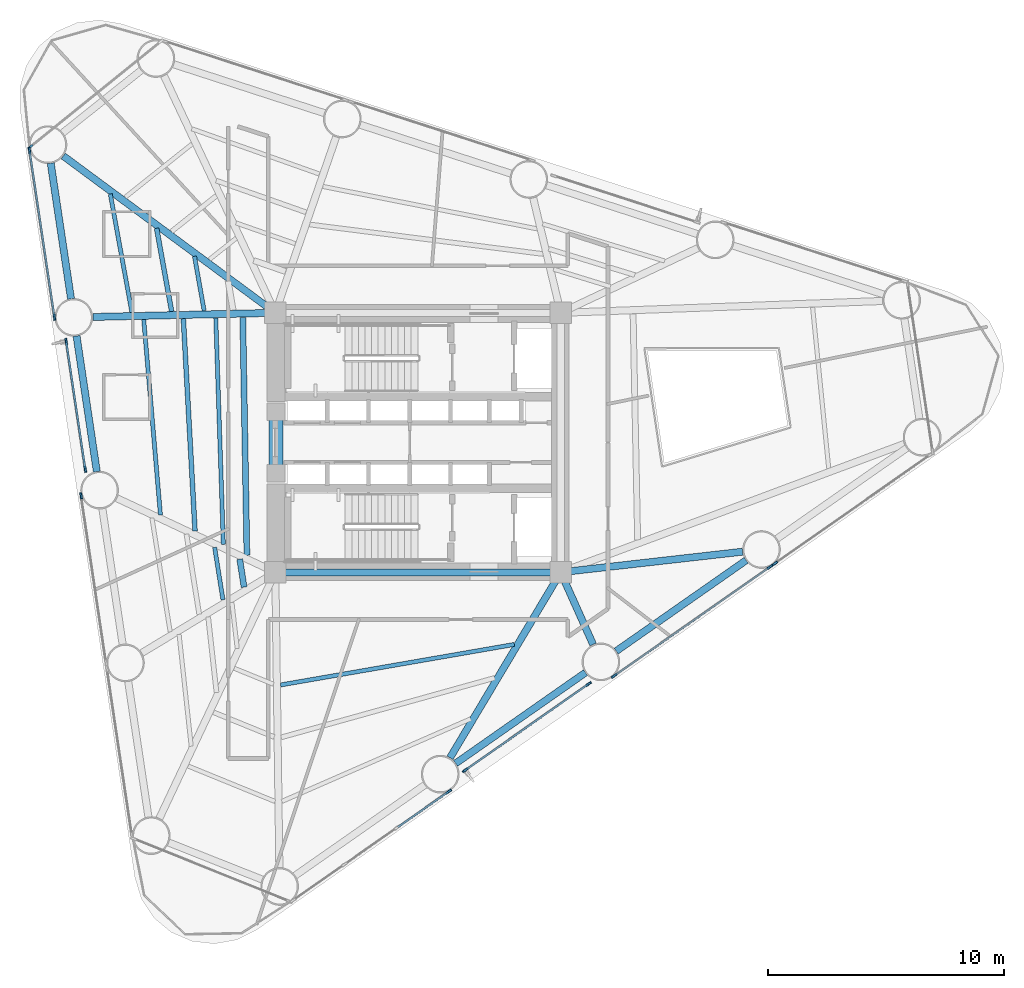
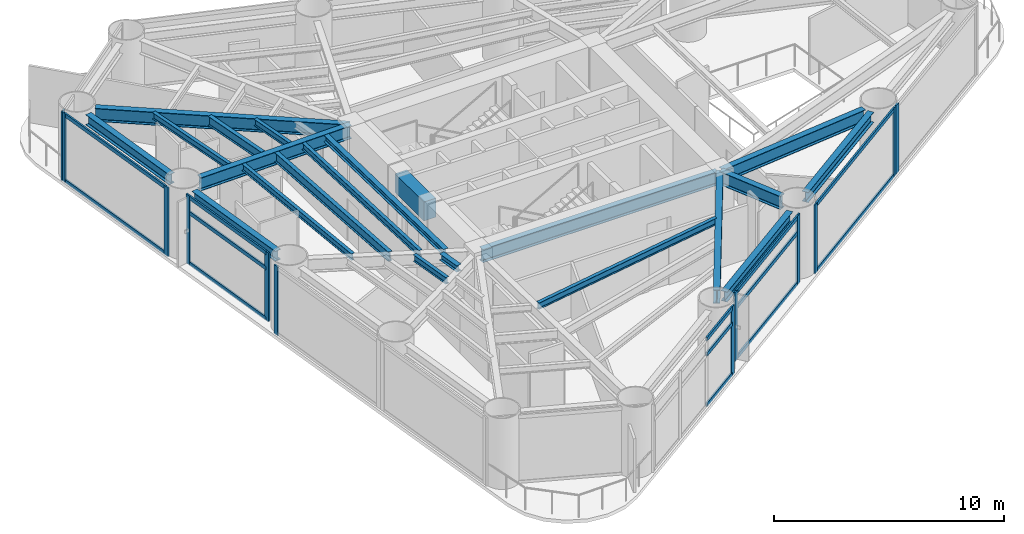
# One storey, part 2 of 9: 25 members, 21 beams, 8 elements without a shape of their own.
"""IFC4 building model written with IfcOpenShell, lengths in metres."""

import ifcopenshell
import ifcopenshell.guid

model = None  # the IFC model being written
_history = None  # IfcOwnerHistory: only IFC2X3 demands one
_inside = {}  # id of a spatial element -> (the spatial element, [elements in it])
_under = {}  # id of a project, library or spatial element -> (it, [spatial elements below it])
_declared = {}  # id of a project -> (the project, [libraries it declares])
_typed = {}  # id of a type object -> (the type object, [elements of that type])
_made_of = {}  # id of a material, layer set ... -> (it, [elements and type objects made of it])


def new_model(schema):
    """Start an empty IFC model of exactly this schema.

    Asked for "IFC4X3", IfcOpenShell would pick the latest addendum, in which some entities
    have other attributes; the version numbers below select the first issue.
    IFC2X3 requires an IfcOwnerHistory on every rooted entity: one is made here for all.
    """
    global model, _history
    if schema == "IFC4X3":
        model = ifcopenshell.file(schema_version=(4, 3, 0, 0))
    else:
        model = ifcopenshell.file(schema=schema)
    _inside.clear()
    _under.clear()
    _declared.clear()
    _typed.clear()
    _made_of.clear()
    _history = None
    if model.schema == "IFC2X3":
        org = make("IfcOrganization", Name="unknown")
        user = make(
            "IfcPersonAndOrganization",
            ThePerson=make("IfcPerson", FamilyName="unknown"),
            TheOrganization=org,
        )
        app = make(
            "IfcApplication",
            ApplicationDeveloper=org,
            Version="unknown",
            ApplicationFullName="unknown",
            ApplicationIdentifier="unknown",
        )
        _history = make(
            "IfcOwnerHistory",
            OwningUser=user,
            OwningApplication=app,
            ChangeAction="ADDED",
            CreationDate=0,
        )
    return model


def make(cls, **values):
    """One entity of the class cls with the attributes given. An attribute that is None is left unset."""
    return model.create_entity(
        cls, **{name: value for name, value in values.items() if value is not None}
    )


def rooted(cls, **values):
    """An entity with a GlobalId (a new one), such as an element, a storey or a relation."""
    return make(cls, GlobalId=ifcopenshell.guid.new(), OwnerHistory=_history, **values)


def si_unit(unit_type, name, prefix=None):
    """IfcSIUnit, for example si_unit("LENGTHUNIT", "METRE", prefix="MILLI")."""
    return make("IfcSIUnit", UnitType=unit_type, Prefix=prefix, Name=name)


def assignment(units):
    """IfcUnitAssignment: the units of a project."""
    return None if units is None else make("IfcUnitAssignment", Units=units)


def point(xyz):
    """IfcCartesianPoint."""
    return None if xyz is None else make("IfcCartesianPoint", Coordinates=xyz)


def direction(xyz):
    """IfcDirection."""
    return None if xyz is None else make("IfcDirection", DirectionRatios=xyz)


def frame(location, z_axis=None, x_axis=None):
    """IfcAxis2Placement3D, a coordinate frame: its origin and axes. An axis left out is left unset."""
    return make(
        "IfcAxis2Placement3D",
        Location=point(location),
        Axis=direction(z_axis),
        RefDirection=direction(x_axis),
    )


def frame_2d(location, x_axis=None):
    """IfcAxis2Placement2D, a coordinate frame in the plane: its origin and x axis."""
    return make(
        "IfcAxis2Placement2D", Location=point(location), RefDirection=direction(x_axis)
    )


def origin():
    """The frame at (0, 0, 0) with its axes left unset."""
    return frame((0.0, 0.0, 0.0))


def origin_2d():
    """The frame at (0, 0) in the plane with its x axis left unset."""
    return frame_2d((0.0, 0.0))


def place(relative_to, where):
    """IfcLocalPlacement: puts the frame where relative to a parent placement (None: the world)."""
    return make(
        "IfcLocalPlacement", PlacementRelTo=relative_to, RelativePlacement=where
    )


def context(
    kind, dimensions, precision=None, world=None, true_north=None, identifier=None
):
    """IfcGeometricRepresentationContext, for example the 3D "Model" context."""
    return make(
        "IfcGeometricRepresentationContext",
        ContextIdentifier=identifier,
        ContextType=kind,
        CoordinateSpaceDimension=dimensions,
        Precision=precision,
        WorldCoordinateSystem=world,
        TrueNorth=true_north,
    )


def subcontext(parent, identifier, kind, view, scale=None):
    """IfcGeometricRepresentationSubContext, for example "Body" below "Model"."""
    return make(
        "IfcGeometricRepresentationSubContext",
        ContextIdentifier=identifier,
        ContextType=kind,
        ParentContext=parent,
        TargetScale=scale,
        TargetView=view,
    )


def project(units=None, contexts=None):
    """IfcProject with its units and contexts."""
    return rooted(
        "IfcProject",
        Name="project",
        RepresentationContexts=contexts,
        UnitsInContext=assignment(units),
    )


def spatial(cls, under=None, at=None, **own):
    """A site, building, storey or space (cls), placed at a placement, below another one or the project."""
    s = rooted(cls, ObjectPlacement=at, **own)
    if under is not None:
        _under.setdefault(under.id(), (under, []))[1].append(s)
    return s


def profile(cls, at=None, kind="AREA", **sizes):
    """A parametric profile (cls). Its sizes go by their IFC names, for example OverallWidth=200.0."""
    return make(cls, ProfileType=kind, Position=at, **sizes)


def rectangle(**sizes):
    """IfcRectangleProfileDef."""
    return profile("IfcRectangleProfileDef", **sizes)


def i_section(**sizes):
    """IfcIShapeProfileDef."""
    return profile("IfcIShapeProfileDef", **sizes)


def extrude(swept, where, along, depth):
    """IfcExtrudedAreaSolid: the profile swept, set in the frame where, extruded along a direction by depth."""
    return make(
        "IfcExtrudedAreaSolid",
        SweptArea=swept,
        Position=where,
        ExtrudedDirection=direction(along),
        Depth=depth,
    )


def shape(context_of_items, identifier, shape_type, items):
    """IfcShapeRepresentation: the items that make up one representation, for example the "Body"."""
    return make(
        "IfcShapeRepresentation",
        ContextOfItems=context_of_items,
        RepresentationIdentifier=identifier,
        RepresentationType=shape_type,
        Items=items,
    )


def source(mapping_origin, context_of_items, identifier, shape_type, items):
    """IfcRepresentationMap: a shape defined once, which mapped items show again and again."""
    return make(
        "IfcRepresentationMap",
        MappingOrigin=mapping_origin,
        MappedRepresentation=shape(context_of_items, identifier, shape_type, items),
    )


def transform(
    local_origin,
    x_axis=None,
    y_axis=None,
    z_axis=None,
    scale=None,
    scale2=None,
    scale3=None,
    uniform=True,
):
    """IfcCartesianTransformationOperator3D, or its non-uniform kind. x_axis, y_axis, z_axis: its Axis1, 2, 3."""
    if uniform:
        return make(
            "IfcCartesianTransformationOperator3D",
            Axis1=direction(x_axis),
            Axis2=direction(y_axis),
            LocalOrigin=point(local_origin),
            Scale=scale,
            Axis3=direction(z_axis),
        )
    return make(
        "IfcCartesianTransformationOperator3DnonUniform",
        Axis1=direction(x_axis),
        Axis2=direction(y_axis),
        LocalOrigin=point(local_origin),
        Scale=scale,
        Axis3=direction(z_axis),
        Scale2=scale2,
        Scale3=scale3,
    )


def mapped(mapping_source, mapping_target):
    """IfcMappedItem: shows the shape of a source again, moved by a transform."""
    return make(
        "IfcMappedItem", MappingSource=mapping_source, MappingTarget=mapping_target
    )


def material(Name=None, Category=None):
    """IfcMaterial."""
    return make("IfcMaterial", Name=Name, Category=Category)


def layer(
    of_material, thickness, ventilated=None, Name=None, Category=None, Priority=None
):
    """IfcMaterialLayer: one layer of a wall or slab, of a material (None: an air gap)."""
    return make(
        "IfcMaterialLayer",
        Material=of_material,
        LayerThickness=thickness,
        IsVentilated=ventilated,
        Name=Name,
        Category=Category,
        Priority=Priority,
    )


def layer_set(layers, Name=None):
    """IfcMaterialLayerSet."""
    return make("IfcMaterialLayerSet", MaterialLayers=layers, LayerSetName=Name)


def material_profile(
    of_material, cross_section, Name=None, Category=None, Priority=None
):
    """IfcMaterialProfile: a cross section and its material."""
    return make(
        "IfcMaterialProfile",
        Name=Name,
        Material=of_material,
        Profile=cross_section,
        Priority=Priority,
        Category=Category,
    )


def profile_set(profiles, Name=None, composite=None):
    """IfcMaterialProfileSet."""
    return make(
        "IfcMaterialProfileSet",
        Name=Name,
        MaterialProfiles=profiles,
        CompositeProfile=composite,
    )


def made_of(thing, what):
    """Note that an element or type object is made of a material, layer set ...; save() writes the relation."""
    if what is not None:
        _made_of.setdefault(what.id(), (what, []))[1].append(thing)
    return thing


def type_object(cls, material=None, **own):
    """A type object (cls), such as IfcWallType, which elements share."""
    return made_of(rooted(cls, **own), material)


def element(
    cls,
    number,
    at=None,
    inside=None,
    cuts=None,
    type_object=None,
    material=None,
    context=None,
    identifier="Body",
    shape_type=None,
    held_by="IfcProductDefinitionShape",
    body=None,
    shapes=None,
    **own,
):
    """One element of the class cls, such as IfcWall. Its Tag is "e" and its number.

    at: its placement. inside: the storey or other place that contains it. cuts: it is an
    opening in that element (IfcRelVoidsElement). A single representation is given by context,
    identifier, shape_type and body (its items); several are given by shapes. held_by: the class
    of the entity that holds the representations. save() writes the other relations.
    """
    e = rooted(cls, Tag="e%d" % number, ObjectPlacement=at, **own)
    if body is not None:
        shapes = [shape(context, identifier, shape_type, body)]
    if shapes is not None:
        e.Representation = make(held_by, Representations=shapes)
    if inside is not None:
        _inside.setdefault(inside.id(), (inside, []))[1].append(e)
    if cuts is not None:
        rooted(
            "IfcRelVoidsElement", RelatingBuildingElement=cuts, RelatedOpeningElement=e
        )
    if type_object is not None:
        _typed.setdefault(type_object.id(), (type_object, []))[1].append(e)
    return made_of(e, material)


def aggregate(whole, parts):
    """IfcRelAggregates: a whole, such as a stair, and the parts it consists of."""
    return rooted("IfcRelAggregates", RelatingObject=whole, RelatedObjects=parts)


def save(model, path):
    """Write the relations noted so far, then the file.

    IfcRelAggregates (storeys below a building ...), IfcRelContainedInSpatialStructure (elements
    in a storey), IfcRelDefinesByType, IfcRelAssociatesMaterial and IfcRelDeclares: one each for
    every whole, place, type object, material and project.
    """
    for whole, parts in _under.values():
        aggregate(whole, parts)
    for where, things in _inside.values():
        rooted(
            "IfcRelContainedInSpatialStructure",
            RelatedElements=things,
            RelatingStructure=where,
        )
    for kind, things in _typed.values():
        rooted("IfcRelDefinesByType", RelatedObjects=things, RelatingType=kind)
    for what, things in _made_of.values():
        rooted("IfcRelAssociatesMaterial", RelatedObjects=things, RelatingMaterial=what)
    for by, libraries in _declared.values():
        rooted("IfcRelDeclares", RelatingContext=by, RelatedDefinitions=libraries)
    model.write(path)


model = new_model("IFC4")

# Units and contexts
model_context = context("Model", 3, precision=1e-05, world=origin(), true_north=direction((0.0, 1.0)))
body_context = subcontext(model_context, "Body", "Model", "MODEL_VIEW")
ifc_project = project(units=[si_unit("LENGTHUNIT", "METRE"), si_unit("AREAUNIT", "SQUARE_METRE"), si_unit("VOLUMEUNIT", "CUBIC_METRE"), si_unit("PLANEANGLEUNIT", "RADIAN"), si_unit("MASSUNIT", "GRAM", prefix="KILO")], contexts=[model_context])

# Site, building, storey
site_placement = place(None, origin())
site = spatial("IfcSite", under=ifc_project, at=site_placement, CompositionType="ELEMENT")
building_placement = place(site_placement, origin())
building = spatial("IfcBuilding", under=site, at=building_placement, Name="Yunling Apex Tower", CompositionType="ELEMENT")
storey_placement = place(building_placement, frame((0.0, 0.0, 58.550048828125)))
storey = spatial("IfcBuildingStorey", under=building, at=storey_placement, Name="L15", CompositionType="ELEMENT", Elevation=58.550048828125)

# Beams
ifc_material_1 = material(Name="Concrete C60", Category="concrete")
ifc_material_profile_1 = material_profile(ifc_material_1, rectangle(XDim=0.60009765625, YDim=1.0, at=origin_2d()))
ifc_profile_set_1 = profile_set([ifc_material_profile_1], Name="Concrete C60")
beam_type_1 = type_object("IfcBeamType", Name="BC-CPL-1", PredefinedType="BEAM", material=ifc_profile_set_1)
shared_shape_1 = source(origin(), body_context, "Body", "SweptSolid", [
    extrude(rectangle(XDim=0.60009765625, YDim=1.0, at=origin_2d()), origin(), (0.0, 0.0, 1.0), 2.5),
])
beam_1_placement = place(storey_placement, frame((-6.02490234375, -1.25, 3.06494140625), z_axis=(0.0, 1.0, 0.0), x_axis=(-1.0, 0.0, 0.0)))
element("IfcBeam", 1, at=beam_1_placement, inside=storey, type_object=beam_type_1, Name="L15 Core West Portal Coupling Beam", PredefinedType="BEAM", context=body_context, shape_type="MappedRepresentation", body=[
    mapped(shared_shape_1, transform((0.0, 0.0, 0.0), scale=1.0)),
])
ifc_material_2 = material(Name="Steel Q355B", Category="steel")
ifc_material_profile_2 = material_profile(ifc_material_2, i_section(OverallWidth=0.300048828125, OverallDepth=0.699951171875, WebThickness=0.012939453125, FlangeThickness=0.02392578125, FilletRadius=0.02587890625, at=origin_2d()))
ifc_profile_set_2 = profile_set([ifc_material_profile_2], Name="Steel Q355B")
beam_type_2 = type_object("IfcBeamType", Name="BG-PRI-3", PredefinedType="USERDEFINED", material=ifc_profile_set_2)
shared_shape_2 = source(origin(), body_context, "Body", "SweptSolid", [
    extrude(i_section(OverallWidth=0.300048828125, OverallDepth=0.699951171875, WebThickness=0.012939453125, FlangeThickness=0.02392578125, FilletRadius=0.02587890625, at=origin_2d()), origin(), (0.0, 0.0, 1.0), 11.7998046875),
])
beam_2_placement = place(storey_placement, frame((-5.89990234375, -5.5, 3.21484375), z_axis=(1.0, 0.0, 0.0), x_axis=(0.0, 1.0, 0.0)))
element("IfcBeam", 2, at=beam_2_placement, inside=storey, type_object=beam_type_2, Name="L15 Core Ring Tie Beam 1", ObjectType="GIRDER", PredefinedType="USERDEFINED", context=body_context, shape_type="MappedRepresentation", body=[
    mapped(shared_shape_2, transform((0.0, 0.0, 0.0), scale=1.0)),
])
ifc_material_profile_3 = material_profile(ifc_material_2, i_section(OverallWidth=0.300048828125, OverallDepth=0.5400390625, WebThickness=0.011962890625, FlangeThickness=0.02001953125, FilletRadius=0.02392578125, at=origin_2d()))
ifc_profile_set_3 = profile_set([ifc_material_profile_3], Name="Steel Q355B")
beam_type_3 = type_object("IfcBeamType", Name="BP-SPN-1", PredefinedType="SPANDREL", material=ifc_profile_set_3)
shared_shape_3 = source(origin(), body_context, "Body", "SweptSolid", [
    extrude(i_section(OverallWidth=0.300048828125, OverallDepth=0.5400390625, WebThickness=0.011962890625, FlangeThickness=0.02001953125, FilletRadius=0.02392578125, at=origin_2d()), origin(), (0.0, 0.0, 1.0), 6.721435546875),
])
for number, where, z_axis, x_axis, name in (
    (3, (1.59228515625, -13.60302734375, 3.294921875), (0.81955772083, 0.572996633697, 0.0), (-0.572996633697, 0.81955772083, 0.0), "L15 Perimeter Spandrel Beam 2"),
    (4, (8.40234375, -8.841796875, 3.294921875), (0.81955772083, 0.572996633697, 0.0), (-0.572996633697, 0.81955772083, 0.0), "L15 Perimeter Spandrel Beam 3"),
):
    element("IfcBeam", number, at=place(storey_placement, frame(where, z_axis=z_axis, x_axis=x_axis)), inside=storey, type_object=beam_type_3, Name=name, PredefinedType="SPANDREL", context=body_context, shape_type="MappedRepresentation", body=[
        mapped(shared_shape_3, transform((0.0, 0.0, 0.0), scale=1.0)),
    ])
shared_shape_4 = source(origin(), body_context, "Body", "SweptSolid", [
    extrude(i_section(OverallWidth=0.300048828125, OverallDepth=0.5400390625, WebThickness=0.011962890625, FlangeThickness=0.02001953125, FilletRadius=0.02392578125, at=origin_2d()), origin(), (0.0, 0.0, 1.0), 5.81689453125),
])
for number, where, z_axis, x_axis, name in (
    (5, (-15.57177734375, 11.84423828125, 3.294921875), (0.147823230204, -0.989013797989, 0.0), (0.989013797989, 0.147823230204, 0.0), "L15 Perimeter Spandrel Beam 11"),
    (6, (-14.477294921875, 4.5205078125, 3.294921875), (0.147823230204, -0.989013797989, 0.0), (0.989013797989, 0.147823230204, 0.0), "L15 Perimeter Spandrel Beam 12"),
):
    element("IfcBeam", number, at=place(storey_placement, frame(where, z_axis=z_axis, x_axis=x_axis)), inside=storey, type_object=beam_type_3, Name=name, PredefinedType="SPANDREL", context=body_context, shape_type="MappedRepresentation", body=[
        mapped(shared_shape_4, transform((0.0, 0.0, 0.0), scale=1.0)),
    ])
shared_shape_5 = source(origin(), body_context, "Body", "SweptSolid", [
    extrude(i_section(OverallWidth=0.300048828125, OverallDepth=0.699951171875, WebThickness=0.012939453125, FlangeThickness=0.02392578125, FilletRadius=0.02587890625, at=origin_2d()), origin(), (0.0, 0.0, 1.0), 9.078857421875),
])
beam_3_placement = place(storey_placement, frame((1.355712890625, -13.3642578125, 3.21484375), z_axis=(0.512544819157, 0.858660473269, 0.0), x_axis=(-0.858660473269, 0.512544819157, 0.0)))
element("IfcBeam", 7, at=beam_3_placement, inside=storey, type_object=beam_type_2, Name="L15 Radial Primary Girder R02", ObjectType="GIRDER", PredefinedType="USERDEFINED", context=body_context, shape_type="MappedRepresentation", body=[
    mapped(shared_shape_5, transform((0.0, 0.0, 0.0), scale=1.0)),
])
shared_shape_6 = source(origin(), body_context, "Body", "SweptSolid", [
    extrude(i_section(OverallWidth=0.300048828125, OverallDepth=0.699951171875, WebThickness=0.012939453125, FlangeThickness=0.02392578125, FilletRadius=0.02587890625, at=origin_2d()), origin(), (0.0, 0.0, 1.0), 3.272705078125),
])
beam_4_placement = place(storey_placement, frame((7.421142578125, -8.5595703125, 3.21484375), z_axis=(-0.408946662986, 0.912558286814, 0.0), x_axis=(-0.912558286814, -0.408946662986, 0.0)))
element("IfcBeam", 8, at=beam_4_placement, inside=storey, type_object=beam_type_2, Name="L15 Radial Primary Girder R03", ObjectType="GIRDER", PredefinedType="USERDEFINED", context=body_context, shape_type="MappedRepresentation", body=[
    mapped(shared_shape_6, transform((0.0, 0.0, 0.0), scale=1.0)),
])
shared_shape_7 = source(origin(), body_context, "Body", "SweptSolid", [
    extrude(i_section(OverallWidth=0.300048828125, OverallDepth=0.699951171875, WebThickness=0.012939453125, FlangeThickness=0.02392578125, FilletRadius=0.02587890625, at=origin_2d()), origin(), (0.0, 0.0, 1.0), 7.677978515625),
])
beam_5_placement = place(storey_placement, frame((13.758544921875, -4.62646484375, 3.21484375), z_axis=(-0.993640958951, -0.112595047382, 0.0), x_axis=(0.112595047382, -0.993640958951, 0.0)))
element("IfcBeam", 9, at=beam_5_placement, inside=storey, type_object=beam_type_2, Name="L15 Radial Primary Girder R04", ObjectType="GIRDER", PredefinedType="USERDEFINED", context=body_context, shape_type="MappedRepresentation", body=[
    mapped(shared_shape_7, transform((0.0, 0.0, 0.0), scale=1.0)),
])
shared_shape_8 = source(origin(), body_context, "Body", "SweptSolid", [
    extrude(i_section(OverallWidth=0.300048828125, OverallDepth=0.699951171875, WebThickness=0.012939453125, FlangeThickness=0.02392578125, FilletRadius=0.02587890625, at=origin_2d()), origin(), (0.0, 0.0, 1.0), 11.101318359375),
])
beam_6_placement = place(storey_placement, frame((-15.03955078125, 12.14892578125, 3.21484375), z_axis=(0.803988254112, -0.594645177606, 0.0), x_axis=(0.594645177606, 0.803988254112, 0.0)))
element("IfcBeam", 10, at=beam_6_placement, inside=storey, type_object=beam_type_2, Name="L15 Radial Primary Girder R11", ObjectType="GIRDER", PredefinedType="USERDEFINED", context=body_context, shape_type="MappedRepresentation", body=[
    mapped(shared_shape_8, transform((0.0, 0.0, 0.0), scale=1.0)),
])
shared_shape_9 = source(origin(), body_context, "Body", "SweptSolid", [
    extrude(i_section(OverallWidth=0.300048828125, OverallDepth=0.699951171875, WebThickness=0.012939453125, FlangeThickness=0.02392578125, FilletRadius=0.02587890625, at=origin_2d()), origin(), (0.0, 0.0, 1.0), 7.658935546875),
])
beam_7_placement = place(storey_placement, frame((-13.786865234375, 5.32421875, 3.21484375), z_axis=(0.999741687414, 0.022727922173, 0.0), x_axis=(-0.022727922173, 0.999741687414, 0.0)))
element("IfcBeam", 11, at=beam_7_placement, inside=storey, type_object=beam_type_2, Name="L15 Radial Primary Girder R12", ObjectType="GIRDER", PredefinedType="USERDEFINED", context=body_context, shape_type="MappedRepresentation", body=[
    mapped(shared_shape_9, transform((0.0, 0.0, 0.0), scale=1.0)),
])
ifc_material_profile_4 = material_profile(ifc_material_2, i_section(OverallWidth=0.175048828125, OverallDepth=0.35009765625, WebThickness=0.007080078125, FlangeThickness=0.010986328125, FilletRadius=0.013916015625, at=origin_2d()))
ifc_profile_set_4 = profile_set([ifc_material_profile_4], Name="Steel Q355B")
beam_type_4 = type_object("IfcBeamType", Name="BJ-JST-1", PredefinedType="JOIST", material=ifc_profile_set_4)
shared_shape_10 = source(origin(), body_context, "Body", "SweptSolid", [
    extrude(i_section(OverallWidth=0.175048828125, OverallDepth=0.35009765625, WebThickness=0.007080078125, FlangeThickness=0.010986328125, FilletRadius=0.013916015625, at=origin_2d()), origin(), (0.0, 0.0, 1.0), 10.057861328125),
])
beam_8_placement = place(storey_placement, frame((-5.826904296875, -10.276611328125, 3.389892578125), z_axis=(0.985298923649, 0.170839196488, 0.0), x_axis=(-0.170839196488, 0.985298923649, 0.0)))
element("IfcBeam", 12, at=beam_8_placement, inside=storey, type_object=beam_type_4, Name="L15 Composite Floor Joist BJ3-1", PredefinedType="JOIST", context=body_context, shape_type="MappedRepresentation", body=[
    mapped(shared_shape_10, transform((0.0, 0.0, 0.0), scale=1.0)),
])
ifc_material_profile_5 = material_profile(ifc_material_2, i_section(OverallWidth=0.199951171875, OverallDepth=0.5, WebThickness=0.010009765625, FlangeThickness=0.01611328125, FilletRadius=0.02001953125, at=origin_2d()))
ifc_profile_set_5 = profile_set([ifc_material_profile_5], Name="Steel Q355B")
beam_type_5 = type_object("IfcBeamType", Name="BS-SEC-2", PredefinedType="BEAM", material=ifc_profile_set_5)
shared_shape_11 = source(origin(), body_context, "Body", "SweptSolid", [
    extrude(i_section(OverallWidth=0.199951171875, OverallDepth=0.5, WebThickness=0.010009765625, FlangeThickness=0.01611328125, FilletRadius=0.02001953125, at=origin_2d()), origin(), (0.0, 0.0, 1.0), 3.5859375),
])
beam_9_placement = place(storey_placement, frame((-11.083984375, 9.0869140625, 3.31494140625), z_axis=(0.177830877335, -0.984061064704, 0.0), x_axis=(0.984061064704, 0.177830877335, 0.0)))
element("IfcBeam", 13, at=beam_9_placement, inside=storey, type_object=beam_type_5, Name="L15 Composite Floor Beam BS-11", PredefinedType="BEAM", context=body_context, shape_type="MappedRepresentation", body=[
    mapped(shared_shape_11, transform((0.0, 0.0, 0.0), scale=1.0)),
])
shared_shape_12 = source(origin(), body_context, "Body", "SweptSolid", [
    extrude(i_section(OverallWidth=0.175048828125, OverallDepth=0.35009765625, WebThickness=0.007080078125, FlangeThickness=0.010986328125, FilletRadius=0.013916015625, at=origin_2d()), origin(), (0.0, 0.0, 1.0), 5.102294921875),
])
beam_10_placement = place(storey_placement, frame((-13.047119140625, 10.539306640625, 3.389892578125), z_axis=(0.179533864947, -0.983751793562, 0.0), x_axis=(0.983751793562, 0.179533864947, 0.0)))
element("IfcBeam", 14, at=beam_10_placement, inside=storey, type_object=beam_type_4, Name="L15 Composite Floor Joist BJ1-11", PredefinedType="JOIST", context=body_context, shape_type="MappedRepresentation", body=[
    mapped(shared_shape_12, transform((0.0, 0.0, 0.0), scale=1.0)),
])
shared_shape_13 = source(origin(), body_context, "Body", "SweptSolid", [
    extrude(i_section(OverallWidth=0.175048828125, OverallDepth=0.35009765625, WebThickness=0.007080078125, FlangeThickness=0.010986328125, FilletRadius=0.013916015625, at=origin_2d()), origin(), (0.0, 0.0, 1.0), 2.34521484375),
])
beam_11_placement = place(storey_placement, frame((-9.477783203125, 7.898681640625, 3.389892578125), z_axis=(0.174889813897, -0.984588011808, 0.0), x_axis=(0.984588011808, 0.174889813897, 0.0)))
element("IfcBeam", 15, at=beam_11_placement, inside=storey, type_object=beam_type_4, Name="L15 Composite Floor Joist BJ3-11", PredefinedType="JOIST", context=body_context, shape_type="MappedRepresentation", body=[
    mapped(shared_shape_13, transform((0.0, 0.0, 0.0), scale=1.0)),
])
shared_shape_14 = source(origin(), body_context, "Body", "SweptSolid", [
    extrude(i_section(OverallWidth=0.199951171875, OverallDepth=0.5, WebThickness=0.010009765625, FlangeThickness=0.01611328125, FilletRadius=0.02001953125, at=origin_2d()), origin(), (0.0, 0.0, 1.0), 9.018310546875),
])
beam_12_placement = place(storey_placement, frame((-9.94970703125, 5.25146484375, 3.31494140625), z_axis=(0.054955731572, -0.998488791909, 0.0), x_axis=(0.998488791909, 0.054955731572, 0.0)))
element("IfcBeam", 16, at=beam_12_placement, inside=storey, type_object=beam_type_5, Name="L15 Composite Floor Beam BS-12", PredefinedType="BEAM", context=body_context, shape_type="MappedRepresentation", body=[
    mapped(shared_shape_14, transform((0.0, 0.0, 0.0), scale=1.0)),
])
shared_shape_15 = source(origin(), body_context, "Body", "SweptSolid", [
    extrude(i_section(OverallWidth=0.175048828125, OverallDepth=0.35009765625, WebThickness=0.007080078125, FlangeThickness=0.010986328125, FilletRadius=0.013916015625, at=origin_2d()), origin(), (0.0, 0.0, 1.0), 8.313720703125),
])
beam_13_placement = place(storey_placement, frame((-11.62939453125, 5.21337890625, 3.389892578125), z_axis=(0.085220398072, -0.996362124808, 0.0), x_axis=(0.996362124808, 0.085220398072, 0.0)))
element("IfcBeam", 17, at=beam_13_placement, inside=storey, type_object=beam_type_4, Name="L15 Composite Floor Joist BJ1-12", PredefinedType="JOIST", context=body_context, shape_type="MappedRepresentation", body=[
    mapped(shared_shape_15, transform((0.0, 0.0, 0.0), scale=1.0)),
])
shared_shape_16 = source(origin(), body_context, "Body", "SweptSolid", [
    extrude(i_section(OverallWidth=0.175048828125, OverallDepth=0.35009765625, WebThickness=0.007080078125, FlangeThickness=0.010986328125, FilletRadius=0.013916015625, at=origin_2d()), origin(), (0.0, 0.0, 1.0), 9.600341796875),
])
beam_14_placement = place(storey_placement, frame((-8.57470703125, 5.28271484375, 3.389892578125), z_axis=(0.033364787957, -0.999443240472, 0.0), x_axis=(0.999443240472, 0.033364787957, 0.0)))
element("IfcBeam", 18, at=beam_14_placement, inside=storey, type_object=beam_type_4, Name="L15 Composite Floor Joist BJ3-12", PredefinedType="JOIST", context=body_context, shape_type="MappedRepresentation", body=[
    mapped(shared_shape_16, transform((0.0, 0.0, 0.0), scale=1.0)),
])
ifc_material_profile_6 = material_profile(ifc_material_2, i_section(OverallWidth=0.25, OverallDepth=0.340087890625, WebThickness=0.009033203125, FlangeThickness=0.013916015625, FilletRadius=0.01806640625, at=origin_2d()))
ifc_profile_set_6 = profile_set([ifc_material_profile_6], Name="Steel Q355B")
beam_type_6 = type_object("IfcBeamType", Name="BJ-JST-2", PredefinedType="JOIST", material=ifc_profile_set_6)
shared_shape_17 = source(origin(), body_context, "Body", "SweptSolid", [
    extrude(i_section(OverallWidth=0.25, OverallDepth=0.340087890625, WebThickness=0.009033203125, FlangeThickness=0.013916015625, FilletRadius=0.01806640625, at=origin_2d()), origin(), (0.0, 0.0, 1.0), 10.088134765625),
])
beam_15_placement = place(storey_placement, frame((-7.428955078125, 5.30859375, 3.39501953125), z_axis=(0.017255085284, -0.999851119933, 0.0), x_axis=(0.999851119933, 0.017255085284, 0.0)))
element("IfcBeam", 19, at=beam_15_placement, inside=storey, type_object=beam_type_6, Name="L15 Composite Floor Joist BJ2-12", PredefinedType="JOIST", context=body_context, shape_type="MappedRepresentation", body=[
    mapped(shared_shape_17, transform((0.0, 0.0, 0.0), scale=1.0)),
])
shared_shape_18 = source(origin(), body_context, "Body", "SweptSolid", [
    extrude(i_section(OverallWidth=0.175048828125, OverallDepth=0.35009765625, WebThickness=0.007080078125, FlangeThickness=0.010986328125, FilletRadius=0.013916015625, at=origin_2d()), origin(), (0.0, 0.0, 1.0), 2.252685546875),
])
beam_16_placement = place(storey_placement, frame((-8.622802734375, -4.443603515625, 3.389892578125), z_axis=(0.156608129458, -0.987660819203, 0.0), x_axis=(0.987660819203, 0.156608129458, 0.0)))
element("IfcBeam", 20, at=beam_16_placement, inside=storey, type_object=beam_type_4, Name="L15 Composite Floor Joist BJ3-13", PredefinedType="JOIST", context=body_context, shape_type="MappedRepresentation", body=[
    mapped(shared_shape_18, transform((0.0, 0.0, 0.0), scale=1.0)),
])
shared_shape_19 = source(origin(), body_context, "Body", "SweptSolid", [
    extrude(i_section(OverallWidth=0.25, OverallDepth=0.340087890625, WebThickness=0.009033203125, FlangeThickness=0.013916015625, FilletRadius=0.01806640625, at=origin_2d()), origin(), (0.0, 0.0, 1.0), 1.20068359375),
])
beam_17_placement = place(storey_placement, frame((-7.559814453125, -4.94091796875, 3.39501953125), z_axis=(0.154531945298, -0.987987792375, 0.0), x_axis=(0.987987792375, 0.154531945298, 0.0)))
element("IfcBeam", 21, at=beam_17_placement, inside=storey, type_object=beam_type_6, Name="L15 Composite Floor Joist BJ2-13", PredefinedType="JOIST", context=body_context, shape_type="MappedRepresentation", body=[
    mapped(shared_shape_19, transform((0.0, 0.0, 0.0), scale=1.0)),
])

# Curtain wall, member
ifc_material_3 = material(Name="Bronze anodised aluminium", Category="aluminium")
ifc_layer = layer(ifc_material_3, 0.260009765625)
ifc_layer_set = layer_set([ifc_layer], Name="Bronze anodised aluminium")
curtain_wall_type = type_object("IfcCurtainWallType", Name="CW-SYS-2", PredefinedType="NOTDEFINED", material=ifc_layer_set)
curtain_wall_1_placement = place(storey_placement, origin())
curtain_wall_1 = element("IfcCurtainWall", 22, at=curtain_wall_1_placement, inside=storey, type_object=curtain_wall_type, Name="CW-L15-F1-B1", PredefinedType="NOTDEFINED")
ifc_material_profile_7 = material_profile(ifc_material_3, rectangle(XDim=0.0849609375, YDim=0.260009765625, at=origin_2d()))
ifc_profile_set_7 = profile_set([ifc_material_profile_7], Name="Bronze anodised aluminium")
member_type_1 = type_object("IfcMemberType", Name="CW-MUL-2", PredefinedType="MULLION", material=ifc_profile_set_7)
shared_shape_20 = source(origin(), body_context, "Body", "SweptSolid", [
    extrude(rectangle(XDim=0.0849609375, YDim=0.260009765625, at=origin_2d()), origin(), (0.0, 0.0, 1.0), 3.6650390625),
])
member_1_placement = place(storey_placement, frame((1.305419921875, -14.7919921875, -0.050048828125), z_axis=(0.0, 0.0, 1.0), x_axis=(-0.573004358875, 0.819552319691, 0.0)))
member_1 = element("IfcMember", 23, at=member_1_placement, type_object=member_type_1, Name="CW-SYS-2 mullion 4", PredefinedType="MULLION", context=body_context, shape_type="MappedRepresentation", body=[
    mapped(shared_shape_20, transform((0.0, 0.0, 0.0), scale=1.0)),
])

# Curtain wall, members
curtain_wall_2_placement = place(storey_placement, origin())
curtain_wall_2 = element("IfcCurtainWall", 24, at=curtain_wall_2_placement, inside=storey, type_object=curtain_wall_type, Name="CW-L15-F1-B2", PredefinedType="NOTDEFINED")
member_2_placement = place(storey_placement, frame((1.999755859375, -13.8916015625, -0.050048828125), z_axis=(0.0, 0.0, 1.0), x_axis=(-0.573002671888, 0.819553499175, 0.0)))
member_2 = element("IfcMember", 25, at=member_2_placement, type_object=member_type_1, Name="CW-SYS-2 mullion 1", PredefinedType="MULLION", context=body_context, shape_type="MappedRepresentation", body=[
    mapped(shared_shape_20, transform((0.0, 0.0, 0.0), scale=1.0)),
])
member_3_placement = place(storey_placement, frame((7.232177734375, -10.2333984375, -0.050048828125), z_axis=(0.0, 0.0, 1.0), x_axis=(-0.573002671888, 0.819553499175, 0.0)))
member_3 = element("IfcMember", 26, at=member_3_placement, type_object=member_type_1, Name="CW-SYS-2 mullion 2", PredefinedType="MULLION", context=body_context, shape_type="MappedRepresentation", body=[
    mapped(shared_shape_20, transform((0.0, 0.0, 0.0), scale=1.0)),
])

curtain_wall_3_placement = place(storey_placement, origin())
curtain_wall_3 = element("IfcCurtainWall", 27, at=curtain_wall_3_placement, inside=storey, type_object=curtain_wall_type, Name="CW-L15-F1-B3", PredefinedType="NOTDEFINED")
member_4_placement = place(storey_placement, frame((8.31591796875, -9.890380859375, -0.050048828125), z_axis=(0.0, 0.0, 1.0), x_axis=(-0.572996116804, 0.819558082217, 0.0)))
member_4 = element("IfcMember", 28, at=member_4_placement, type_object=member_type_1, Name="CW-SYS-2 mullion 1", PredefinedType="MULLION", context=body_context, shape_type="MappedRepresentation", body=[
    mapped(shared_shape_20, transform((0.0, 0.0, 0.0), scale=1.0)),
])
member_5_placement = place(storey_placement, frame((14.925048828125, -5.26953125, -0.050048828125), z_axis=(0.0, 0.0, 1.0), x_axis=(-0.572996116804, 0.819558082217, 0.0)))
member_5 = element("IfcMember", 29, at=member_5_placement, type_object=member_type_1, Name="CW-SYS-2 mullion 2", PredefinedType="MULLION", context=body_context, shape_type="MappedRepresentation", body=[
    mapped(shared_shape_20, transform((0.0, 0.0, 0.0), scale=1.0)),
])

# Curtain wall, member
curtain_wall_4_placement = place(storey_placement, origin())
curtain_wall_4 = element("IfcCurtainWall", 30, at=curtain_wall_4_placement, inside=storey, type_object=curtain_wall_type, Name="CW-L15-F1-B4", PredefinedType="NOTDEFINED")
member_6_placement = place(storey_placement, frame((15.1259765625, -5.129150390625, -0.050048828125), z_axis=(0.0, 0.0, 1.0), x_axis=(-0.573004358875, 0.819552319691, 0.0)))
member_6 = element("IfcMember", 31, at=member_6_placement, type_object=member_type_1, Name="CW-SYS-2 mullion 1", PredefinedType="MULLION", context=body_context, shape_type="MappedRepresentation", body=[
    mapped(shared_shape_20, transform((0.0, 0.0, 0.0), scale=1.0)),
])
aggregate(curtain_wall_4, [member_6])

curtain_wall_5_placement = place(storey_placement, origin())
curtain_wall_5 = element("IfcCurtainWall", 32, at=curtain_wall_5_placement, inside=storey, type_object=curtain_wall_type, Name="CW-L15-CRN2", PredefinedType="NOTDEFINED")
member_7_placement = place(storey_placement, frame((-16.4375, 12.539306640625, -0.050048828125), z_axis=(0.0, 0.0, 1.0), x_axis=(0.628079941911, -0.778148820322, 0.0)))
member_7 = element("IfcMember", 33, at=member_7_placement, type_object=member_type_1, Name="CW-SYS-2 mullion 2", PredefinedType="MULLION", context=body_context, shape_type="MappedRepresentation", body=[
    mapped(shared_shape_20, transform((0.0, 0.0, 0.0), scale=1.0)),
])
aggregate(curtain_wall_5, [member_7])

# Curtain wall, members
curtain_wall_6_placement = place(storey_placement, origin())
curtain_wall_6 = element("IfcCurtainWall", 34, at=curtain_wall_6_placement, inside=storey, type_object=curtain_wall_type, Name="CW-L15-F3-B1", PredefinedType="NOTDEFINED")
member_8_placement = place(storey_placement, frame((-16.47216796875, 12.388671875, -0.050048828125), z_axis=(0.0, 0.0, 1.0), x_axis=(0.989017400941, 0.147799122579, 0.0)))
member_8 = element("IfcMember", 35, at=member_8_placement, type_object=member_type_1, Name="CW-SYS-2 mullion 1", PredefinedType="MULLION", context=body_context, shape_type="MappedRepresentation", body=[
    mapped(shared_shape_20, transform((0.0, 0.0, 0.0), scale=1.0)),
])
member_9_placement = place(storey_placement, frame((-15.413818359375, 5.307373046875, -0.050048828125), z_axis=(0.0, 0.0, 1.0), x_axis=(0.989017400941, 0.147799122579, 0.0)))
member_9 = element("IfcMember", 36, at=member_9_placement, type_object=member_type_1, Name="CW-SYS-2 mullion 2", PredefinedType="MULLION", context=body_context, shape_type="MappedRepresentation", body=[
    mapped(shared_shape_20, transform((0.0, 0.0, 0.0), scale=1.0)),
])

curtain_wall_7_placement = place(storey_placement, origin())
curtain_wall_7 = element("IfcCurtainWall", 37, at=curtain_wall_7_placement, inside=storey, type_object=curtain_wall_type, Name="CW-L15-F3-B2", PredefinedType="NOTDEFINED")
member_10_placement = place(storey_placement, frame((-14.917236328125, 4.28466796875, -0.050048828125), z_axis=(0.0, 0.0, 1.0), x_axis=(0.98901713531, 0.147800900076, 0.0)))
member_10 = element("IfcMember", 38, at=member_10_placement, type_object=member_type_1, Name="CW-SYS-2 mullion 1", PredefinedType="MULLION", context=body_context, shape_type="MappedRepresentation", body=[
    mapped(shared_shape_20, transform((0.0, 0.0, 0.0), scale=1.0)),
])
member_11_placement = place(storey_placement, frame((-14.107177734375, -1.13525390625, -0.050048828125), z_axis=(0.0, 0.0, 1.0), x_axis=(0.98901713531, 0.147800900076, 0.0)))
member_11 = element("IfcMember", 39, at=member_11_placement, type_object=member_type_1, Name="CW-SYS-2 mullion 2", PredefinedType="MULLION", context=body_context, shape_type="MappedRepresentation", body=[
    mapped(shared_shape_20, transform((0.0, 0.0, 0.0), scale=1.0)),
])

# Curtain wall, member
curtain_wall_8_placement = place(storey_placement, origin())
curtain_wall_8 = element("IfcCurtainWall", 40, at=curtain_wall_8_placement, inside=storey, type_object=curtain_wall_type, Name="CW-L15-F3-B3", PredefinedType="NOTDEFINED")
member_12_placement = place(storey_placement, frame((-14.283203125, -2.258544921875, -0.050048828125), z_axis=(0.0, 0.0, 1.0), x_axis=(0.98901508166, 0.147814641525, 0.0)))
member_12 = element("IfcMember", 41, at=member_12_placement, type_object=member_type_1, Name="CW-SYS-2 mullion 1", PredefinedType="MULLION", context=body_context, shape_type="MappedRepresentation", body=[
    mapped(shared_shape_20, transform((0.0, 0.0, 0.0), scale=1.0)),
])
aggregate(curtain_wall_8, [member_12])

# Member
ifc_material_profile_8 = material_profile(ifc_material_3, rectangle(XDim=0.0849609375, YDim=0.199951171875, at=origin_2d()))
ifc_profile_set_8 = profile_set([ifc_material_profile_8], Name="Bronze anodised aluminium")
member_type_2 = type_object("IfcMemberType", Name="CW-TRN-2", PredefinedType="USERDEFINED", material=ifc_profile_set_8)
shared_shape_21 = source(origin(), body_context, "Body", "SweptSolid", [
    extrude(rectangle(XDim=0.0849609375, YDim=0.199951171875, at=origin_2d()), origin(), (0.0, 0.0, 1.0), 2.59765625),
])
member_13_placement = place(storey_placement, frame((-0.854736328125, -16.30224609375, 0.04248046875), z_axis=(0.819585012743, 0.572957596064, 0.0), x_axis=(-0.572957596064, 0.819585012743, 0.0)))
member_13 = element("IfcMember", 42, at=member_13_placement, type_object=member_type_2, Name="CW-SYS-2 transom 3.1", ObjectType="TRANSOM", PredefinedType="USERDEFINED", context=body_context, shape_type="MappedRepresentation", body=[
    mapped(shared_shape_21, transform((0.0, 0.0, 0.0), scale=1.0)),
])

member_14_placement = place(storey_placement, frame((-0.854736328125, -16.30224609375, 2.71484375), z_axis=(0.819585012743, 0.572957596064, 0.0), x_axis=(-0.572957596064, 0.819585012743, 0.0)))
member_14 = element("IfcMember", 43, at=member_14_placement, type_object=member_type_2, Name="CW-SYS-2 transom 3.2", ObjectType="TRANSOM", PredefinedType="USERDEFINED", context=body_context, shape_type="MappedRepresentation", body=[
    mapped(shared_shape_21, transform((0.0, 0.0, 0.0), scale=1.0)),
])

member_15_placement = place(storey_placement, frame((-0.854736328125, -16.30224609375, 3.5224609375), z_axis=(0.819585012743, 0.572957596064, 0.0), x_axis=(-0.572957596064, 0.819585012743, 0.0)))
member_15 = element("IfcMember", 44, at=member_15_placement, type_object=member_type_2, Name="CW-SYS-2 transom 3.3", ObjectType="TRANSOM", PredefinedType="USERDEFINED", context=body_context, shape_type="MappedRepresentation", body=[
    mapped(shared_shape_21, transform((0.0, 0.0, 0.0), scale=1.0)),
])

aggregate(curtain_wall_1, [member_1, member_13, member_14, member_15])

shared_shape_22 = source(origin(), body_context, "Body", "SweptSolid", [
    extrude(rectangle(XDim=0.0849609375, YDim=0.199951171875, at=origin_2d()), origin(), (0.0, 0.0, 1.0), 6.3076171875),
])
member_16_placement = place(storey_placement, frame((2.03125, -13.86962890625, 0.04248046875), z_axis=(0.819555463581, 0.57299986223, 0.0), x_axis=(-0.57299986223, 0.819555463581, 0.0)))
member_16 = element("IfcMember", 45, at=member_16_placement, type_object=member_type_2, Name="CW-SYS-2 transom 1.1", ObjectType="TRANSOM", PredefinedType="USERDEFINED", context=body_context, shape_type="MappedRepresentation", body=[
    mapped(shared_shape_22, transform((0.0, 0.0, 0.0), scale=1.0)),
])

member_17_placement = place(storey_placement, frame((2.03125, -13.86962890625, 2.71484375), z_axis=(0.819555463581, 0.57299986223, 0.0), x_axis=(-0.57299986223, 0.819555463581, 0.0)))
member_17 = element("IfcMember", 46, at=member_17_placement, type_object=member_type_2, Name="CW-SYS-2 transom 1.2", ObjectType="TRANSOM", PredefinedType="USERDEFINED", context=body_context, shape_type="MappedRepresentation", body=[
    mapped(shared_shape_22, transform((0.0, 0.0, 0.0), scale=1.0)),
])

member_18_placement = place(storey_placement, frame((2.03125, -13.86962890625, 3.5224609375), z_axis=(0.819555463581, 0.57299986223, 0.0), x_axis=(-0.57299986223, 0.819555463581, 0.0)))
member_18 = element("IfcMember", 47, at=member_18_placement, type_object=member_type_2, Name="CW-SYS-2 transom 1.3", ObjectType="TRANSOM", PredefinedType="USERDEFINED", context=body_context, shape_type="MappedRepresentation", body=[
    mapped(shared_shape_22, transform((0.0, 0.0, 0.0), scale=1.0)),
])

aggregate(curtain_wall_2, [member_2, member_3, member_16, member_17, member_18])

shared_shape_23 = source(origin(), body_context, "Body", "SweptSolid", [
    extrude(rectangle(XDim=0.0849609375, YDim=0.199951171875, at=origin_2d()), origin(), (0.0, 0.0, 1.0), 7.98779296875),
])
member_19_placement = place(storey_placement, frame((8.347412109375, -9.868408203125, 0.04248046875), z_axis=(0.819559176955, 0.572994550995, 0.0), x_axis=(-0.572994550995, 0.819559176955, 0.0)))
member_19 = element("IfcMember", 48, at=member_19_placement, type_object=member_type_2, Name="CW-SYS-2 transom 1.1", ObjectType="TRANSOM", PredefinedType="USERDEFINED", context=body_context, shape_type="MappedRepresentation", body=[
    mapped(shared_shape_23, transform((0.0, 0.0, 0.0), scale=1.0)),
])

member_20_placement = place(storey_placement, frame((8.347412109375, -9.868408203125, 3.5224609375), z_axis=(0.819559176955, 0.572994550995, 0.0), x_axis=(-0.572994550995, 0.819559176955, 0.0)))
member_20 = element("IfcMember", 49, at=member_20_placement, type_object=member_type_2, Name="CW-SYS-2 transom 1.2", ObjectType="TRANSOM", PredefinedType="USERDEFINED", context=body_context, shape_type="MappedRepresentation", body=[
    mapped(shared_shape_23, transform((0.0, 0.0, 0.0), scale=1.0)),
])

aggregate(curtain_wall_3, [member_4, member_5, member_19, member_20])

shared_shape_24 = source(origin(), body_context, "Body", "SweptSolid", [
    extrude(rectangle(XDim=0.0849609375, YDim=0.199951171875, at=origin_2d()), origin(), (0.0, 0.0, 1.0), 7.08349609375),
])
member_21_placement = place(storey_placement, frame((-16.466552734375, 12.350830078125, 0.04248046875), z_axis=(0.147826386349, -0.989013326249, 0.0), x_axis=(0.989013326249, 0.147826386349, 0.0)))
member_21 = element("IfcMember", 50, at=member_21_placement, type_object=member_type_2, Name="CW-SYS-2 transom 1.1", ObjectType="TRANSOM", PredefinedType="USERDEFINED", context=body_context, shape_type="MappedRepresentation", body=[
    mapped(shared_shape_24, transform((0.0, 0.0, 0.0), scale=1.0)),
])

member_22_placement = place(storey_placement, frame((-16.466552734375, 12.350830078125, 3.5224609375), z_axis=(0.147826386349, -0.989013326249, 0.0), x_axis=(0.989013326249, 0.147826386349, 0.0)))
member_22 = element("IfcMember", 51, at=member_22_placement, type_object=member_type_2, Name="CW-SYS-2 transom 1.2", ObjectType="TRANSOM", PredefinedType="USERDEFINED", context=body_context, shape_type="MappedRepresentation", body=[
    mapped(shared_shape_24, transform((0.0, 0.0, 0.0), scale=1.0)),
])

aggregate(curtain_wall_6, [member_8, member_9, member_21, member_22])

shared_shape_25 = source(origin(), body_context, "Body", "SweptSolid", [
    extrude(rectangle(XDim=0.0849609375, YDim=0.199951171875, at=origin_2d()), origin(), (0.0, 0.0, 1.0), 5.403564453125),
])
member_23_placement = place(storey_placement, frame((-14.91162109375, 4.246826171875, 0.04248046875), z_axis=(0.147788090943, -0.98901904945, 0.0), x_axis=(0.98901904945, 0.147788090943, 0.0)))
member_23 = element("IfcMember", 52, at=member_23_placement, type_object=member_type_2, Name="CW-SYS-2 transom 1.1", ObjectType="TRANSOM", PredefinedType="USERDEFINED", context=body_context, shape_type="MappedRepresentation", body=[
    mapped(shared_shape_25, transform((0.0, 0.0, 0.0), scale=1.0)),
])

member_24_placement = place(storey_placement, frame((-14.91162109375, 4.246826171875, 2.71484375), z_axis=(0.147788090943, -0.98901904945, 0.0), x_axis=(0.98901904945, 0.147788090943, 0.0)))
member_24 = element("IfcMember", 53, at=member_24_placement, type_object=member_type_2, Name="CW-SYS-2 transom 1.2", ObjectType="TRANSOM", PredefinedType="USERDEFINED", context=body_context, shape_type="MappedRepresentation", body=[
    mapped(shared_shape_25, transform((0.0, 0.0, 0.0), scale=1.0)),
])

member_25_placement = place(storey_placement, frame((-14.91162109375, 4.246826171875, 3.5224609375), z_axis=(0.147788090943, -0.98901904945, 0.0), x_axis=(0.98901904945, 0.147788090943, 0.0)))
member_25 = element("IfcMember", 54, at=member_25_placement, type_object=member_type_2, Name="CW-SYS-2 transom 1.3", ObjectType="TRANSOM", PredefinedType="USERDEFINED", context=body_context, shape_type="MappedRepresentation", body=[
    mapped(shared_shape_25, transform((0.0, 0.0, 0.0), scale=1.0)),
])

aggregate(curtain_wall_7, [member_10, member_11, member_23, member_24, member_25])

save(model, "model.ifc")
